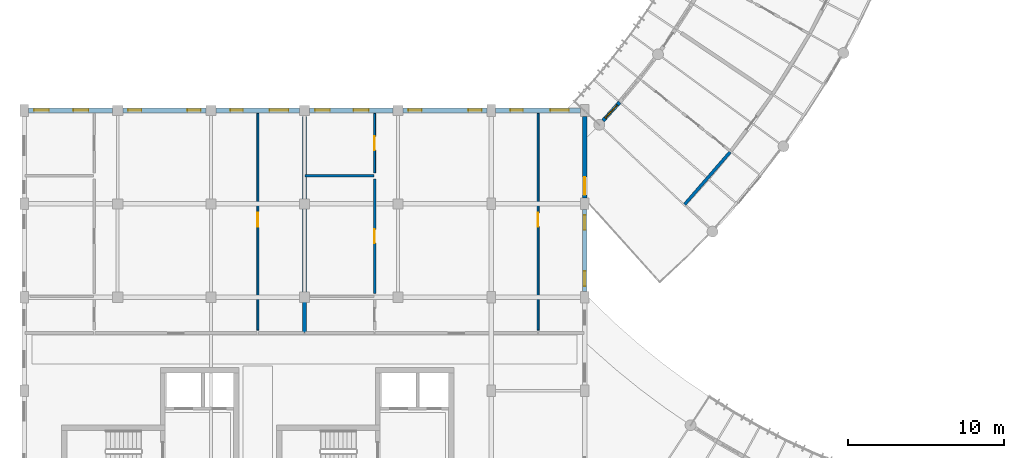
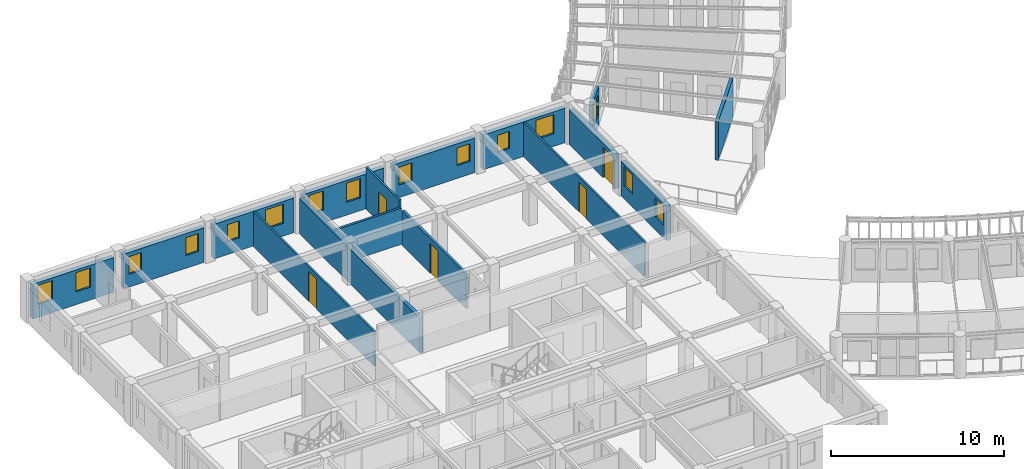
# One storey, part 59 of 100: 16 walls, 15 windows, 5 doors, 20 openings.
"""IFC4 building model written with IfcOpenShell, lengths in metres."""

from ifc_helpers import new_model, si_unit, direction, frame, frame_2d, origin, place, context, subcontext, project, spatial, rectangle, extrude, material, layer, layer_set, type_object, element, fill, save


model = new_model("IFC4")

# Units and contexts
model_context = context("Model", 3, precision=1e-05, world=origin(), true_north=direction((0.0, 1.0)))
body_context = subcontext(model_context, "Body", "Model", "MODEL_VIEW")
ifc_project = project(units=[si_unit("LENGTHUNIT", "METRE"), si_unit("AREAUNIT", "SQUARE_METRE"), si_unit("VOLUMEUNIT", "CUBIC_METRE"), si_unit("PLANEANGLEUNIT", "RADIAN"), si_unit("MASSUNIT", "GRAM", prefix="KILO"), si_unit("POWERUNIT", "WATT"), si_unit("THERMODYNAMICTEMPERATUREUNIT", "KELVIN")], contexts=[model_context])

# Site, building, storey
site_placement = place(None, origin())
site = spatial("IfcSite", under=ifc_project, at=site_placement, CompositionType="ELEMENT")
building_placement = place(site_placement, origin())
building = spatial("IfcBuilding", under=site, at=building_placement, Name="Ruvembo Vaulted Housing Court", CompositionType="ELEMENT")
storey_placement = place(building_placement, frame((0.0, 0.0, 10.89990234375)))
storey = spatial("IfcBuildingStorey", under=building, at=storey_placement, Name="L03", CompositionType="ELEMENT", Elevation=10.89990234375)

# Walls
ifc_material_1 = material(Name="Concrete Blockwork 200", Category="masonry")
ifc_layer_1 = layer(ifc_material_1, 0.199951171875, Name="Concrete Blockwork 200")
ifc_layer_set_1 = layer_set([ifc_layer_1], Name="Concrete Blockwork 200")
wall_type_1 = type_object("IfcWallType", Name="WL-CORR-200", PredefinedType="SOLIDWALL", material=ifc_layer_set_1)
wall_1_placement = place(storey_placement, frame((42.414794921875, 35.964111328125, 0.0), z_axis=(0.0, 0.0, 1.0), x_axis=(0.655477564809, 0.755214646331, 0.0)))
element("IfcWall", 1, at=wall_1_placement, inside=storey, type_object=wall_type_1, Name="L03 Suite SC1-L03-U1 Gallery Wall WL-INT-L03-00975", PredefinedType="SOLIDWALL", context=body_context, shape_type="SweptSolid", body=[
    extrude(rectangle(XDim=4.46728515625, YDim=0.199951171875, at=frame_2d((2.233642578125, 0.0))), origin(), (0.0, 0.0, 1.0), 2.72216796875),
])
ifc_material_2 = material(Name="Acoustic Masonry Demising 230", Category="masonry")
ifc_layer_2 = layer(ifc_material_2, 0.22998046875, Name="Acoustic Masonry Demising 230")
ifc_layer_set_2 = layer_set([ifc_layer_2], Name="Acoustic Masonry Demising 230")
wall_type_2 = type_object("IfcWallType", Name="WL-DEM-230", PredefinedType="SOLIDWALL", material=ifc_layer_set_2)
wall_2_placement = place(storey_placement, frame((18.0, 27.739990234375, 0.0), z_axis=(0.0, 0.0, 1.0), x_axis=(0.0, 1.0, 0.0)))
element("IfcWall", 2, at=wall_2_placement, inside=storey, type_object=wall_type_2, Name="L03 Demising A-L03-N1 WL-INT-L03-00806", PredefinedType="SOLIDWALL", context=body_context, shape_type="SweptSolid", body=[
    extrude(rectangle(XDim=13.8701171875, YDim=0.22998046875, at=frame_2d((6.93505859375, 0.0))), origin(), (0.0, 0.0, 1.0), 2.4580078125),
])

# Wall, opening, window
ifc_material_3 = material(Name="Rendered Masonry 235", Category="masonry")
ifc_layer_3 = layer(ifc_material_3, 0.235107421875, Name="Rendered Masonry 235")
ifc_layer_set_3 = layer_set([ifc_layer_3], Name="Rendered Masonry 235")
wall_type_3 = type_object("IfcWallType", Name="WL-EXT-235", PredefinedType="STANDARD", material=ifc_layer_set_3)
wall_3_placement = place(storey_placement, frame((37.165283203125, 41.337646484375, 0.0), z_axis=(0.0, 0.0, 1.0), x_axis=(0.670829255746, 0.741611832184, 0.0)))
wall_3 = element("IfcWall", 3, at=wall_3_placement, inside=storey, type_object=wall_type_3, Name="Scoop SC1 L03 Concave Balcony Wall 0", PredefinedType="STANDARD", context=body_context, shape_type="SweptSolid", body=[
    extrude(rectangle(XDim=1.596923828125, YDim=0.235107421875, at=frame_2d((0.79833984375, 0.0))), origin(), (0.0, 0.0, 1.0), 2.68408203125),
])
opening_1_placement = place(wall_3_placement, frame((0.223388671875, 0.0, 0.85009765625)))
opening_1 = element("IfcOpeningElement", 4, at=opening_1_placement, cuts=wall_3, Name="Opening W11", PredefinedType="OPENING", context=body_context, shape_type="SweptSolid", body=[
    extrude(rectangle(XDim=1.14990234375, YDim=1.449951171875, at=frame_2d((0.574951171875, 0.72509765625))), frame((0.0, 0.12744140625, 0.0), z_axis=(0.0, -1.0, 0.0), x_axis=(1.0, 0.0, 0.0)), (0.0, 0.0, 1.0), 0.255126953125),
])
ifc_material_4 = material(Name="Double Solar-Control Glazing in Aluminium Frame", Category="aluminium")
window_type_1 = type_object("IfcWindowType", Name="WIN-1150x1450", PartitioningType="SINGLE_PANEL", PredefinedType="WINDOW", material=ifc_material_4)
window_1_placement = place(opening_1_placement, origin())
window_1 = element("IfcWindow", 5, at=window_1_placement, inside=storey, type_object=window_type_1, Name="Scoop SC1 L03 Concave Window 0", OverallHeight=1.449951171875, OverallWidth=1.14990234375, PartitioningType="SINGLE_PANEL", PredefinedType="WINDOW", context=body_context, shape_type="SweptSolid", body=[
    extrude(rectangle(XDim=1.14990234375, YDim=1.449951171875, at=frame_2d((0.574951171875, 0.72509765625))), frame((0.0, 0.030029296875, 0.0), z_axis=(0.0, -1.0, 0.0), x_axis=(1.0, 0.0, 0.0)), (0.0, 0.0, 1.0), 0.06005859375),
])
fill(opening_1, window_1)

# Wall, openings, windows
ifc_material_5 = material(Name="Rendered Masonry 300", Category="masonry")
ifc_layer_4 = layer(ifc_material_5, 0.300048828125, Name="Rendered Masonry 300")
ifc_layer_set_4 = layer_set([ifc_layer_4], Name="Rendered Masonry 300")
wall_type_4 = type_object("IfcWallType", Name="WL-EXT-300", PredefinedType="STANDARD", material=ifc_layer_set_4)
wall_4_placement = place(storey_placement, frame((36.0, 30.375, 0.0), z_axis=(0.0, 0.0, 1.0), x_axis=(0.0, 1.0, 0.0)))
wall_4 = element("IfcWall", 6, at=wall_4_placement, inside=storey, type_object=wall_type_4, Name="Block A L03 Exterior Wall EAST #5", PredefinedType="STANDARD", context=body_context, shape_type="SweptSolid", body=[
    extrude(rectangle(XDim=5.25, YDim=0.300048828125, at=frame_2d((2.625, 0.0))), origin(), (0.0, 0.0, 1.0), 2.442138671875),
])
opening_2_placement = place(wall_4_placement, frame((0.35009765625, 0.0, 0.89990234375)))
opening_2 = element("IfcOpeningElement", 7, at=opening_2_placement, cuts=wall_4, Name="Opening W07", PredefinedType="OPENING", context=body_context, shape_type="SweptSolid", body=[
    extrude(rectangle(XDim=0.949951171875, YDim=1.35009765625, at=frame_2d((0.47509765625, 0.675048828125))), frame((0.0, 0.159912109375, 0.0), z_axis=(0.0, -1.0, 0.0), x_axis=(1.0, 0.0, 0.0)), (0.0, 0.0, 1.0), 0.320068359375),
])
opening_3_placement = place(wall_4_placement, frame((3.949951171875, 0.0, 0.89990234375)))
opening_3 = element("IfcOpeningElement", 8, at=opening_3_placement, cuts=wall_4, Name="Opening W07", PredefinedType="OPENING", context=body_context, shape_type="SweptSolid", body=[
    extrude(rectangle(XDim=0.949951171875, YDim=1.35009765625, at=frame_2d((0.47509765625, 0.675048828125))), frame((0.0, 0.159912109375, 0.0), z_axis=(0.0, -1.0, 0.0), x_axis=(1.0, 0.0, 0.0)), (0.0, 0.0, 1.0), 0.320068359375),
])
window_type_2 = type_object("IfcWindowType", Name="WIN-0950x1350", PartitioningType="SINGLE_PANEL", PredefinedType="WINDOW", material=ifc_material_4)
window_2_placement = place(opening_2_placement, origin())
window_2 = element("IfcWindow", 9, at=window_2_placement, inside=storey, type_object=window_type_2, Name="Block A L03 Window #141", OverallHeight=1.35009765625, OverallWidth=0.949951171875, PartitioningType="SINGLE_PANEL", PredefinedType="WINDOW", context=body_context, shape_type="SweptSolid", body=[
    extrude(rectangle(XDim=0.949951171875, YDim=1.35009765625, at=frame_2d((0.47509765625, 0.675048828125))), frame((0.0, 0.030029296875, 0.0), z_axis=(0.0, -1.0, 0.0), x_axis=(1.0, 0.0, 0.0)), (0.0, 0.0, 1.0), 0.06005859375),
])
fill(opening_2, window_2)
window_3_placement = place(opening_3_placement, origin())
window_3 = element("IfcWindow", 10, at=window_3_placement, inside=storey, type_object=window_type_2, Name="Block A L03 Window #142", OverallHeight=1.35009765625, OverallWidth=0.949951171875, PartitioningType="SINGLE_PANEL", PredefinedType="WINDOW", context=body_context, shape_type="SweptSolid", body=[
    extrude(rectangle(XDim=0.949951171875, YDim=1.35009765625, at=frame_2d((0.47509765625, 0.675048828125))), frame((0.0, 0.030029296875, 0.0), z_axis=(0.0, -1.0, 0.0), x_axis=(1.0, 0.0, 0.0)), (0.0, 0.0, 1.0), 0.06005859375),
])
fill(opening_3, window_3)

# Wall, opening, door
wall_5_placement = place(storey_placement, frame((36.0, 36.375, 0.0), z_axis=(0.0, 0.0, 1.0), x_axis=(0.0, 1.0, 0.0)))
wall_5 = element("IfcWall", 11, at=wall_5_placement, inside=storey, type_object=wall_type_4, Name="Block A L03 Exterior Wall EAST #6", PredefinedType="STANDARD", context=body_context, shape_type="SweptSolid", body=[
    extrude(rectangle(XDim=5.25, YDim=0.300048828125, at=frame_2d((2.625, 0.0))), origin(), (0.0, 0.0, 1.0), 2.442138671875),
])
opening_4_placement = place(wall_5_placement, frame((0.199951171875, 0.0, 0.0)))
opening_4 = element("IfcOpeningElement", 12, at=opening_4_placement, cuts=wall_5, Name="Opening GD1", PredefinedType="OPENING", context=body_context, shape_type="SweptSolid", body=[
    extrude(rectangle(XDim=1.14990234375, YDim=2.14990234375, at=frame_2d((0.574951171875, 1.074951171875))), frame((0.0, 0.159912109375, 0.0), z_axis=(0.0, -1.0, 0.0), x_axis=(1.0, 0.0, 0.0)), (0.0, 0.0, 1.0), 0.320068359375),
])
ifc_material_6 = material(Name="Thermally Broken Glazed Aluminium", Category="aluminium")
door_type_1 = type_object("IfcDoorType", Name="DR-GAL-1150x2150", OperationType="NOTDEFINED", PredefinedType="DOOR", material=ifc_material_6)
door_1_placement = place(opening_4_placement, frame((1.14990234375, 0.0, 0.0), z_axis=(0.0, 0.0, 1.0), x_axis=(-1.0, 0.0, 0.0)))
door_1 = element("IfcDoor", 13, at=door_1_placement, inside=storey, type_object=door_type_1, Name="Block A L03 Terrace or Gallery Door DR-TER-A-L03-014", OperationType="SINGLE_SWING_LEFT", OverallHeight=2.14990234375, OverallWidth=1.14990234375, PredefinedType="DOOR", context=body_context, shape_type="SweptSolid", body=[
    extrude(rectangle(XDim=1.14990234375, YDim=2.14990234375, at=frame_2d((0.574951171875, 1.074951171875))), frame((0.0, 0.02490234375, 0.0), z_axis=(0.0, -1.0, 0.0), x_axis=(1.0, 0.0, 0.0)), (0.0, 0.0, 1.0), 0.050048828125),
])
fill(opening_4, door_1)

# Wall, openings, windows
wall_6_placement = place(storey_placement, frame((35.72509765625, 42.0, 0.0), z_axis=(0.0, 0.0, 1.0), x_axis=(-1.0, 0.0, 0.0)))
wall_6 = element("IfcWall", 14, at=wall_6_placement, inside=storey, type_object=wall_type_4, Name="Block A L03 Exterior Wall COURTYARD #1", PredefinedType="STANDARD", context=body_context, shape_type="SweptSolid", body=[
    extrude(rectangle(XDim=5.4501953125, YDim=0.300048828125, at=frame_2d((2.72509765625, 0.0))), origin(), (0.0, 0.0, 1.0), 2.442138671875),
])
opening_5_placement = place(wall_6_placement, frame((0.742431640625, 0.0, 0.89990234375)))
opening_5 = element("IfcOpeningElement", 15, at=opening_5_placement, cuts=wall_6, Name="Opening W12", PredefinedType="OPENING", context=body_context, shape_type="SweptSolid", body=[
    extrude(rectangle(XDim=1.199951171875, YDim=1.35009765625, at=frame_2d((0.60009765625, 0.675048828125))), frame((0.0, 0.159912109375, 0.0), z_axis=(0.0, -1.0, 0.0), x_axis=(1.0, 0.0, 0.0)), (0.0, 0.0, 1.0), 0.320068359375),
])
opening_6_placement = place(wall_6_placement, frame((3.70751953125, 0.0, 0.89990234375)))
opening_6 = element("IfcOpeningElement", 16, at=opening_6_placement, cuts=wall_6, Name="Opening W02", PredefinedType="OPENING", context=body_context, shape_type="SweptSolid", body=[
    extrude(rectangle(XDim=0.800048828125, YDim=1.199951171875, at=frame_2d((0.39990234375, 0.60009765625))), frame((0.0, 0.159912109375, 0.0), z_axis=(0.0, -1.0, 0.0), x_axis=(1.0, 0.0, 0.0)), (0.0, 0.0, 1.0), 0.320068359375),
])
window_type_3 = type_object("IfcWindowType", Name="WIN-0800x1200", PartitioningType="SINGLE_PANEL", PredefinedType="WINDOW", material=ifc_material_4)
window_4_placement = place(opening_6_placement, origin())
window_4 = element("IfcWindow", 17, at=window_4_placement, inside=storey, type_object=window_type_3, Name="Block A L03 Window #144", OverallHeight=1.199951171875, OverallWidth=0.800048828125, PartitioningType="SINGLE_PANEL", PredefinedType="WINDOW", context=body_context, shape_type="SweptSolid", body=[
    extrude(rectangle(XDim=0.800048828125, YDim=1.199951171875, at=frame_2d((0.39990234375, 0.60009765625))), frame((0.0, 0.030029296875, 0.0), z_axis=(0.0, -1.0, 0.0), x_axis=(1.0, 0.0, 0.0)), (0.0, 0.0, 1.0), 0.06005859375),
])
fill(opening_6, window_4)
window_type_4 = type_object("IfcWindowType", Name="WIN-1200x1350", PartitioningType="SINGLE_PANEL", PredefinedType="WINDOW", material=ifc_material_4)
window_5_placement = place(opening_5_placement, origin())
window_5 = element("IfcWindow", 18, at=window_5_placement, inside=storey, type_object=window_type_4, Name="Block A L03 Window #143", OverallHeight=1.35009765625, OverallWidth=1.199951171875, PartitioningType="SINGLE_PANEL", PredefinedType="WINDOW", context=body_context, shape_type="SweptSolid", body=[
    extrude(rectangle(XDim=1.199951171875, YDim=1.35009765625, at=frame_2d((0.60009765625, 0.675048828125))), frame((0.0, 0.030029296875, 0.0), z_axis=(0.0, -1.0, 0.0), x_axis=(1.0, 0.0, 0.0)), (0.0, 0.0, 1.0), 0.06005859375),
])
fill(opening_5, window_5)

wall_7_placement = place(storey_placement, frame((29.72509765625, 42.0, 0.0), z_axis=(0.0, 0.0, 1.0), x_axis=(-1.0, 0.0, 0.0)))
wall_7 = element("IfcWall", 19, at=wall_7_placement, inside=storey, type_object=wall_type_4, Name="Block A L03 Exterior Wall COURTYARD #2", PredefinedType="STANDARD", context=body_context, shape_type="SweptSolid", body=[
    extrude(rectangle(XDim=5.400146484375, YDim=0.300048828125, at=frame_2d((2.7001953125, 0.0))), origin(), (0.0, 0.0, 1.0), 2.442138671875),
])
opening_7_placement = place(wall_7_placement, frame((0.35009765625, 0.0, 0.89990234375)))
opening_7 = element("IfcOpeningElement", 20, at=opening_7_placement, cuts=wall_7, Name="Opening W03", PredefinedType="OPENING", context=body_context, shape_type="SweptSolid", body=[
    extrude(rectangle(XDim=0.85009765625, YDim=1.25, at=frame_2d((0.425048828125, 0.625))), frame((0.0, 0.159912109375, 0.0), z_axis=(0.0, -1.0, 0.0), x_axis=(1.0, 0.0, 0.0)), (0.0, 0.0, 1.0), 0.320068359375),
])
opening_8_placement = place(wall_7_placement, frame((4.199951171875, 0.0, 0.89990234375)))
opening_8 = element("IfcOpeningElement", 21, at=opening_8_placement, cuts=wall_7, Name="Opening W03", PredefinedType="OPENING", context=body_context, shape_type="SweptSolid", body=[
    extrude(rectangle(XDim=0.85009765625, YDim=1.25, at=frame_2d((0.425048828125, 0.625))), frame((0.0, 0.159912109375, 0.0), z_axis=(0.0, -1.0, 0.0), x_axis=(1.0, 0.0, 0.0)), (0.0, 0.0, 1.0), 0.320068359375),
])
window_type_5 = type_object("IfcWindowType", Name="WIN-0850x1250", PartitioningType="SINGLE_PANEL", PredefinedType="WINDOW", material=ifc_material_4)
window_6_placement = place(opening_7_placement, origin())
window_6 = element("IfcWindow", 22, at=window_6_placement, inside=storey, type_object=window_type_5, Name="Block A L03 Window #145", OverallHeight=1.25, OverallWidth=0.85009765625, PartitioningType="SINGLE_PANEL", PredefinedType="WINDOW", context=body_context, shape_type="SweptSolid", body=[
    extrude(rectangle(XDim=0.85009765625, YDim=1.25, at=frame_2d((0.425048828125, 0.625))), frame((0.0, 0.030029296875, 0.0), z_axis=(0.0, -1.0, 0.0), x_axis=(1.0, 0.0, 0.0)), (0.0, 0.0, 1.0), 0.06005859375),
])
fill(opening_7, window_6)
window_7_placement = place(opening_8_placement, origin())
window_7 = element("IfcWindow", 23, at=window_7_placement, inside=storey, type_object=window_type_5, Name="Block A L03 Window #146", OverallHeight=1.25, OverallWidth=0.85009765625, PartitioningType="SINGLE_PANEL", PredefinedType="WINDOW", context=body_context, shape_type="SweptSolid", body=[
    extrude(rectangle(XDim=0.85009765625, YDim=1.25, at=frame_2d((0.425048828125, 0.625))), frame((0.0, 0.030029296875, 0.0), z_axis=(0.0, -1.0, 0.0), x_axis=(1.0, 0.0, 0.0)), (0.0, 0.0, 1.0), 0.06005859375),
])
fill(opening_8, window_7)

wall_8_placement = place(storey_placement, frame((23.675048828125, 42.0, 0.0), z_axis=(0.0, 0.0, 1.0), x_axis=(-1.0, 0.0, 0.0)))
wall_8 = element("IfcWall", 24, at=wall_8_placement, inside=storey, type_object=wall_type_4, Name="Block A L03 Exterior Wall COURTYARD #3", PredefinedType="STANDARD", context=body_context, shape_type="SweptSolid", body=[
    extrude(rectangle(XDim=5.35009765625, YDim=0.300048828125, at=frame_2d((2.675048828125, 0.0))), origin(), (0.0, 0.0, 1.0), 2.442138671875),
])
opening_9_placement = place(wall_8_placement, frame((1.56494140625, 0.0, 0.89990234375)))
opening_9 = element("IfcOpeningElement", 25, at=opening_9_placement, cuts=wall_8, Name="Opening W07", PredefinedType="OPENING", context=body_context, shape_type="SweptSolid", body=[
    extrude(rectangle(XDim=0.949951171875, YDim=1.35009765625, at=frame_2d((0.47509765625, 0.675048828125))), frame((0.0, 0.159912109375, 0.0), z_axis=(0.0, -1.0, 0.0), x_axis=(1.0, 0.0, 0.0)), (0.0, 0.0, 1.0), 0.320068359375),
])
opening_10_placement = place(wall_8_placement, frame((4.050048828125, 0.0, 0.89990234375)))
opening_10 = element("IfcOpeningElement", 26, at=opening_10_placement, cuts=wall_8, Name="Opening W07", PredefinedType="OPENING", context=body_context, shape_type="SweptSolid", body=[
    extrude(rectangle(XDim=0.949951171875, YDim=1.35009765625, at=frame_2d((0.47509765625, 0.675048828125))), frame((0.0, 0.159912109375, 0.0), z_axis=(0.0, -1.0, 0.0), x_axis=(1.0, 0.0, 0.0)), (0.0, 0.0, 1.0), 0.320068359375),
])
window_8_placement = place(opening_9_placement, origin())
window_8 = element("IfcWindow", 27, at=window_8_placement, inside=storey, type_object=window_type_2, Name="Block A L03 Window #147", OverallHeight=1.35009765625, OverallWidth=0.949951171875, PartitioningType="SINGLE_PANEL", PredefinedType="WINDOW", context=body_context, shape_type="SweptSolid", body=[
    extrude(rectangle(XDim=0.949951171875, YDim=1.35009765625, at=frame_2d((0.47509765625, 0.675048828125))), frame((0.0, 0.030029296875, 0.0), z_axis=(0.0, -1.0, 0.0), x_axis=(1.0, 0.0, 0.0)), (0.0, 0.0, 1.0), 0.06005859375),
])
fill(opening_9, window_8)
window_9_placement = place(opening_10_placement, origin())
window_9 = element("IfcWindow", 28, at=window_9_placement, inside=storey, type_object=window_type_2, Name="Block A L03 Window #148", OverallHeight=1.35009765625, OverallWidth=0.949951171875, PartitioningType="SINGLE_PANEL", PredefinedType="WINDOW", context=body_context, shape_type="SweptSolid", body=[
    extrude(rectangle(XDim=0.949951171875, YDim=1.35009765625, at=frame_2d((0.47509765625, 0.675048828125))), frame((0.0, 0.030029296875, 0.0), z_axis=(0.0, -1.0, 0.0), x_axis=(1.0, 0.0, 0.0)), (0.0, 0.0, 1.0), 0.06005859375),
])
fill(opening_10, window_9)

wall_9_placement = place(storey_placement, frame((17.675048828125, 42.0, 0.0), z_axis=(0.0, 0.0, 1.0), x_axis=(-1.0, 0.0, 0.0)))
wall_9 = element("IfcWall", 29, at=wall_9_placement, inside=storey, type_object=wall_type_4, Name="Block A L03 Exterior Wall COURTYARD #4", PredefinedType="STANDARD", context=body_context, shape_type="SweptSolid", body=[
    extrude(rectangle(XDim=5.35009765625, YDim=0.300048828125, at=frame_2d((2.675048828125, 0.0))), origin(), (0.0, 0.0, 1.0), 2.442138671875),
])
opening_11_placement = place(wall_9_placement, frame((0.717529296875, 0.0, 0.89990234375)))
opening_11 = element("IfcOpeningElement", 30, at=opening_11_placement, cuts=wall_9, Name="Opening W12", PredefinedType="OPENING", context=body_context, shape_type="SweptSolid", body=[
    extrude(rectangle(XDim=1.199951171875, YDim=1.35009765625, at=frame_2d((0.60009765625, 0.675048828125))), frame((0.0, 0.159912109375, 0.0), z_axis=(0.0, -1.0, 0.0), x_axis=(1.0, 0.0, 0.0)), (0.0, 0.0, 1.0), 0.320068359375),
])
opening_12_placement = place(wall_9_placement, frame((3.632568359375, 0.0, 0.89990234375)))
opening_12 = element("IfcOpeningElement", 31, at=opening_12_placement, cuts=wall_9, Name="Opening W02", PredefinedType="OPENING", context=body_context, shape_type="SweptSolid", body=[
    extrude(rectangle(XDim=0.800048828125, YDim=1.199951171875, at=frame_2d((0.39990234375, 0.60009765625))), frame((0.0, 0.159912109375, 0.0), z_axis=(0.0, -1.0, 0.0), x_axis=(1.0, 0.0, 0.0)), (0.0, 0.0, 1.0), 0.320068359375),
])
window_10_placement = place(opening_12_placement, origin())
window_10 = element("IfcWindow", 32, at=window_10_placement, inside=storey, type_object=window_type_3, Name="Block A L03 Window #150", OverallHeight=1.199951171875, OverallWidth=0.800048828125, PartitioningType="SINGLE_PANEL", PredefinedType="WINDOW", context=body_context, shape_type="SweptSolid", body=[
    extrude(rectangle(XDim=0.800048828125, YDim=1.199951171875, at=frame_2d((0.39990234375, 0.60009765625))), frame((0.0, 0.030029296875, 0.0), z_axis=(0.0, -1.0, 0.0), x_axis=(1.0, 0.0, 0.0)), (0.0, 0.0, 1.0), 0.06005859375),
])
fill(opening_12, window_10)
window_11_placement = place(opening_11_placement, origin())
window_11 = element("IfcWindow", 33, at=window_11_placement, inside=storey, type_object=window_type_4, Name="Block A L03 Window #149", OverallHeight=1.35009765625, OverallWidth=1.199951171875, PartitioningType="SINGLE_PANEL", PredefinedType="WINDOW", context=body_context, shape_type="SweptSolid", body=[
    extrude(rectangle(XDim=1.199951171875, YDim=1.35009765625, at=frame_2d((0.60009765625, 0.675048828125))), frame((0.0, 0.030029296875, 0.0), z_axis=(0.0, -1.0, 0.0), x_axis=(1.0, 0.0, 0.0)), (0.0, 0.0, 1.0), 0.06005859375),
])
fill(opening_11, window_11)

wall_10_placement = place(storey_placement, frame((11.675048828125, 42.0, 0.0), z_axis=(0.0, 0.0, 1.0), x_axis=(-1.0, 0.0, 0.0)))
wall_10 = element("IfcWall", 34, at=wall_10_placement, inside=storey, type_object=wall_type_4, Name="Block A L03 Exterior Wall COURTYARD #5", PredefinedType="STANDARD", context=body_context, shape_type="SweptSolid", body=[
    extrude(rectangle(XDim=5.35009765625, YDim=0.300048828125, at=frame_2d((2.675048828125, 0.0))), origin(), (0.0, 0.0, 1.0), 2.442138671875),
])
opening_13_placement = place(wall_10_placement, frame((0.35009765625, 0.0, 0.89990234375)))
opening_13 = element("IfcOpeningElement", 35, at=opening_13_placement, cuts=wall_10, Name="Opening W03", PredefinedType="OPENING", context=body_context, shape_type="SweptSolid", body=[
    extrude(rectangle(XDim=0.85009765625, YDim=1.25, at=frame_2d((0.425048828125, 0.625))), frame((0.0, 0.159912109375, 0.0), z_axis=(0.0, -1.0, 0.0), x_axis=(1.0, 0.0, 0.0)), (0.0, 0.0, 1.0), 0.320068359375),
])
opening_14_placement = place(wall_10_placement, frame((4.14990234375, 0.0, 0.89990234375)))
opening_14 = element("IfcOpeningElement", 36, at=opening_14_placement, cuts=wall_10, Name="Opening W03", PredefinedType="OPENING", context=body_context, shape_type="SweptSolid", body=[
    extrude(rectangle(XDim=0.85009765625, YDim=1.25, at=frame_2d((0.425048828125, 0.625))), frame((0.0, 0.159912109375, 0.0), z_axis=(0.0, -1.0, 0.0), x_axis=(1.0, 0.0, 0.0)), (0.0, 0.0, 1.0), 0.320068359375),
])
window_12_placement = place(opening_13_placement, origin())
window_12 = element("IfcWindow", 37, at=window_12_placement, inside=storey, type_object=window_type_5, Name="Block A L03 Window #151", OverallHeight=1.25, OverallWidth=0.85009765625, PartitioningType="SINGLE_PANEL", PredefinedType="WINDOW", context=body_context, shape_type="SweptSolid", body=[
    extrude(rectangle(XDim=0.85009765625, YDim=1.25, at=frame_2d((0.425048828125, 0.625))), frame((0.0, 0.030029296875, 0.0), z_axis=(0.0, -1.0, 0.0), x_axis=(1.0, 0.0, 0.0)), (0.0, 0.0, 1.0), 0.06005859375),
])
fill(opening_13, window_12)
window_13_placement = place(opening_14_placement, origin())
window_13 = element("IfcWindow", 38, at=window_13_placement, inside=storey, type_object=window_type_5, Name="Block A L03 Window #152", OverallHeight=1.25, OverallWidth=0.85009765625, PartitioningType="SINGLE_PANEL", PredefinedType="WINDOW", context=body_context, shape_type="SweptSolid", body=[
    extrude(rectangle(XDim=0.85009765625, YDim=1.25, at=frame_2d((0.425048828125, 0.625))), frame((0.0, 0.030029296875, 0.0), z_axis=(0.0, -1.0, 0.0), x_axis=(1.0, 0.0, 0.0)), (0.0, 0.0, 1.0), 0.06005859375),
])
fill(opening_14, window_13)

wall_11_placement = place(storey_placement, frame((5.675048828125, 42.0, 0.0), z_axis=(0.0, 0.0, 1.0), x_axis=(-1.0, 0.0, 0.0)))
wall_11 = element("IfcWall", 39, at=wall_11_placement, inside=storey, type_object=wall_type_4, Name="Block A L03 Exterior Wall COURTYARD #6", PredefinedType="STANDARD", context=body_context, shape_type="SweptSolid", body=[
    extrude(rectangle(XDim=5.400146484375, YDim=0.300048828125, at=frame_2d((2.7001953125, 0.0))), origin(), (0.0, 0.0, 1.0), 2.442138671875),
])
opening_15_placement = place(wall_11_placement, frame((1.56494140625, 0.0, 0.89990234375)))
opening_15 = element("IfcOpeningElement", 40, at=opening_15_placement, cuts=wall_11, Name="Opening W07", PredefinedType="OPENING", context=body_context, shape_type="SweptSolid", body=[
    extrude(rectangle(XDim=0.949951171875, YDim=1.35009765625, at=frame_2d((0.47509765625, 0.675048828125))), frame((0.0, 0.159912109375, 0.0), z_axis=(0.0, -1.0, 0.0), x_axis=(1.0, 0.0, 0.0)), (0.0, 0.0, 1.0), 0.320068359375),
])
opening_16_placement = place(wall_11_placement, frame((4.10009765625, 0.0, 0.89990234375)))
opening_16 = element("IfcOpeningElement", 41, at=opening_16_placement, cuts=wall_11, Name="Opening W07", PredefinedType="OPENING", context=body_context, shape_type="SweptSolid", body=[
    extrude(rectangle(XDim=0.949951171875, YDim=1.35009765625, at=frame_2d((0.47509765625, 0.675048828125))), frame((0.0, 0.159912109375, 0.0), z_axis=(0.0, -1.0, 0.0), x_axis=(1.0, 0.0, 0.0)), (0.0, 0.0, 1.0), 0.320068359375),
])
window_14_placement = place(opening_15_placement, origin())
window_14 = element("IfcWindow", 42, at=window_14_placement, inside=storey, type_object=window_type_2, Name="Block A L03 Window #153", OverallHeight=1.35009765625, OverallWidth=0.949951171875, PartitioningType="SINGLE_PANEL", PredefinedType="WINDOW", context=body_context, shape_type="SweptSolid", body=[
    extrude(rectangle(XDim=0.949951171875, YDim=1.35009765625, at=frame_2d((0.47509765625, 0.675048828125))), frame((0.0, 0.030029296875, 0.0), z_axis=(0.0, -1.0, 0.0), x_axis=(1.0, 0.0, 0.0)), (0.0, 0.0, 1.0), 0.06005859375),
])
fill(opening_15, window_14)
window_15_placement = place(opening_16_placement, origin())
window_15 = element("IfcWindow", 43, at=window_15_placement, inside=storey, type_object=window_type_2, Name="Block A L03 Window #154", OverallHeight=1.35009765625, OverallWidth=0.949951171875, PartitioningType="SINGLE_PANEL", PredefinedType="WINDOW", context=body_context, shape_type="SweptSolid", body=[
    extrude(rectangle(XDim=0.949951171875, YDim=1.35009765625, at=frame_2d((0.47509765625, 0.675048828125))), frame((0.0, 0.030029296875, 0.0), z_axis=(0.0, -1.0, 0.0), x_axis=(1.0, 0.0, 0.0)), (0.0, 0.0, 1.0), 0.06005859375),
])
fill(opening_16, window_15)

# Wall, opening, door
ifc_material_7 = material(Name="Plasterboard Stud Partition 125", Category="gypsum")
ifc_layer_5 = layer(ifc_material_7, 0.125, Name="Plasterboard Stud Partition 125")
ifc_layer_set_5 = layer_set([ifc_layer_5], Name="Plasterboard Stud Partition 125")
wall_type_5 = type_object("IfcWallType", Name="WL-PART-125", PredefinedType="PARTITIONING", material=ifc_layer_set_5)
wall_12_placement = place(storey_placement, frame((15.0, 27.889892578125, 0.0), z_axis=(0.0, 0.0, 1.0), x_axis=(0.0, 1.0, 0.0)))
wall_12 = element("IfcWall", 44, at=wall_12_placement, inside=storey, type_object=wall_type_5, Name="L03 Flat A-L03-N1 Bedroom 2 WL-INT-L03-00815", PredefinedType="PARTITIONING", context=body_context, shape_type="SweptSolid", body=[
    extrude(rectangle(XDim=13.920166015625, YDim=0.125, at=frame_2d((6.9599609375, 0.0))), origin(), (0.0, 0.0, 1.0), 2.442138671875),
])
opening_17_placement = place(wall_12_placement, frame((6.64990234375, 0.0, 0.0)))
opening_17 = element("IfcOpeningElement", 45, at=opening_17_placement, cuts=wall_12, Name="Opening ID1", PredefinedType="OPENING", context=body_context, shape_type="SweptSolid", body=[
    extrude(rectangle(XDim=0.89990234375, YDim=2.10009765625, at=frame_2d((0.449951171875, 1.050048828125))), frame((0.0, 0.072509765625, 0.0), z_axis=(0.0, -1.0, 0.0), x_axis=(1.0, 0.0, 0.0)), (0.0, 0.0, 1.0), 0.14501953125),
])
ifc_material_8 = material(Name="FSC Hardwood and Engineered Timber", Category="wood")
door_type_2 = type_object("IfcDoorType", Name="DR-ROOM-0900x2100", OperationType="NOTDEFINED", PredefinedType="DOOR", material=ifc_material_8)
door_2_placement = place(opening_17_placement, origin())
door_2 = element("IfcDoor", 46, at=door_2_placement, inside=storey, type_object=door_type_2, Name="L03 Flat A-L03-N1 Bedroom 2 Door DR-INT-L03-00452", OperationType="SINGLE_SWING_RIGHT", OverallHeight=2.10009765625, OverallWidth=0.89990234375, PredefinedType="DOOR", context=body_context, shape_type="SweptSolid", body=[
    extrude(rectangle(XDim=0.89990234375, YDim=2.10009765625, at=frame_2d((0.449951171875, 1.050048828125))), frame((0.0, 0.02490234375, 0.0), z_axis=(0.0, -1.0, 0.0), x_axis=(1.0, 0.0, 0.0)), (0.0, 0.0, 1.0), 0.050048828125),
])
fill(opening_17, door_2)

wall_13_placement = place(storey_placement, frame((22.5, 37.989990234375, 0.0), z_axis=(0.0, 0.0, 1.0), x_axis=(0.0, 1.0, 0.0)))
wall_13 = element("IfcWall", 47, at=wall_13_placement, inside=storey, type_object=wall_type_5, Name="L03 Flat A-L03-N2 Bedroom 1 WL-INT-L03-00818", PredefinedType="PARTITIONING", context=body_context, shape_type="SweptSolid", body=[
    extrude(rectangle(XDim=3.820068359375, YDim=0.125, at=frame_2d((1.91015625, 0.0))), origin(), (0.0, 0.0, 1.0), 2.960205078125),
])
opening_18_placement = place(wall_13_placement, frame((1.4599609375, 0.0, 0.0)))
opening_18 = element("IfcOpeningElement", 48, at=opening_18_placement, cuts=wall_13, Name="Opening ID1", PredefinedType="OPENING", context=body_context, shape_type="SweptSolid", body=[
    extrude(rectangle(XDim=0.89990234375, YDim=2.10009765625, at=frame_2d((0.449951171875, 1.050048828125))), frame((0.0, 0.072509765625, 0.0), z_axis=(0.0, -1.0, 0.0), x_axis=(1.0, 0.0, 0.0)), (0.0, 0.0, 1.0), 0.14501953125),
])
door_3_placement = place(opening_18_placement, origin())
door_3 = element("IfcDoor", 49, at=door_3_placement, inside=storey, type_object=door_type_2, Name="L03 Flat A-L03-N2 Bedroom 1 Door DR-INT-L03-00454", OperationType="SINGLE_SWING_RIGHT", OverallHeight=2.10009765625, OverallWidth=0.89990234375, PredefinedType="DOOR", context=body_context, shape_type="SweptSolid", body=[
    extrude(rectangle(XDim=0.89990234375, YDim=2.10009765625, at=frame_2d((0.449951171875, 1.050048828125))), frame((0.0, 0.02490234375, 0.0), z_axis=(0.0, -1.0, 0.0), x_axis=(1.0, 0.0, 0.0)), (0.0, 0.0, 1.0), 0.050048828125),
])
fill(opening_18, door_3)

wall_14_placement = place(storey_placement, frame((33.0, 27.889892578125, 0.0), z_axis=(0.0, 0.0, 1.0), x_axis=(0.0, 1.0, 0.0)))
wall_14 = element("IfcWall", 50, at=wall_14_placement, inside=storey, type_object=wall_type_5, Name="L03 Flat A-L03-N2 Bedroom 2 WL-INT-L03-00824", PredefinedType="PARTITIONING", context=body_context, shape_type="SweptSolid", body=[
    extrude(rectangle(XDim=13.920166015625, YDim=0.125, at=frame_2d((6.9599609375, 0.0))), origin(), (0.0, 0.0, 1.0), 2.442138671875),
])
opening_19_placement = place(wall_14_placement, frame((6.64990234375, 0.0, 0.0)))
opening_19 = element("IfcOpeningElement", 51, at=opening_19_placement, cuts=wall_14, Name="Opening ID3", PredefinedType="OPENING", context=body_context, shape_type="SweptSolid", body=[
    extrude(rectangle(XDim=0.8798828125, YDim=2.10009765625, at=frame_2d((0.43994140625, 1.050048828125))), frame((0.0, 0.072509765625, 0.0), z_axis=(0.0, -1.0, 0.0), x_axis=(1.0, 0.0, 0.0)), (0.0, 0.0, 1.0), 0.14501953125),
])
door_type_3 = type_object("IfcDoorType", Name="DR-ROOM-0880x2100", OperationType="NOTDEFINED", PredefinedType="DOOR", material=ifc_material_8)
door_4_placement = place(opening_19_placement, origin())
door_4 = element("IfcDoor", 52, at=door_4_placement, inside=storey, type_object=door_type_3, Name="L03 Flat A-L03-N2 Bedroom 2 Door DR-INT-L03-00457", OperationType="SINGLE_SWING_LEFT", OverallHeight=2.10009765625, OverallWidth=0.8798828125, PredefinedType="DOOR", context=body_context, shape_type="SweptSolid", body=[
    extrude(rectangle(XDim=0.8798828125, YDim=2.10009765625, at=frame_2d((0.43994140625, 1.050048828125))), frame((0.0, 0.02490234375, 0.0), z_axis=(0.0, -1.0, 0.0), x_axis=(1.0, 0.0, 0.0)), (0.0, 0.0, 1.0), 0.050048828125),
])
fill(opening_19, door_4)

# Wall
ifc_material_9 = material(Name="Moisture-Resistant Wet Partition 150", Category="gypsum")
ifc_layer_6 = layer(ifc_material_9, 0.14990234375, Name="Moisture-Resistant Wet Partition 150")
ifc_layer_set_6 = layer_set([ifc_layer_6], Name="Moisture-Resistant Wet Partition 150")
wall_type_6 = type_object("IfcWallType", Name="WL-PART-150", PredefinedType="PARTITIONING", material=ifc_layer_set_6)
wall_15_placement = place(storey_placement, frame((18.0400390625, 37.800048828125, 0.0), z_axis=(0.0, 0.0, 1.0), x_axis=(1.0, 0.0, 0.0)))
element("IfcWall", 53, at=wall_15_placement, inside=storey, type_object=wall_type_6, Name="L03 Flat A-L03-N2 Wet Wall 1 WL-INT-L03-00821", PredefinedType="PARTITIONING", context=body_context, shape_type="SweptSolid", body=[
    extrude(rectangle(XDim=4.419921875, YDim=0.14990234375, at=frame_2d((2.2099609375, 0.0))), origin(), (0.0, 0.0, 1.0), 2.548095703125),
])

# Wall, opening, door
ifc_material_10 = material(Name="Acoustic Service Chase Wall 160", Category="gypsum")
ifc_layer_7 = layer(ifc_material_10, 0.159912109375, Name="Acoustic Service Chase Wall 160")
ifc_layer_set_7 = layer_set([ifc_layer_7], Name="Acoustic Service Chase Wall 160")
wall_type_7 = type_object("IfcWallType", Name="WL-PLUMB-160", PredefinedType="PLUMBINGWALL", material=ifc_layer_set_7)
wall_16_placement = place(storey_placement, frame((22.5, 30.239990234375, 0.0), z_axis=(0.0, 0.0, 1.0), x_axis=(0.0, 1.0, 0.0)))
wall_16 = element("IfcWall", 54, at=wall_16_placement, inside=storey, type_object=wall_type_7, Name="L03 Flat A-L03-N2 Kitchen WL-INT-L03-00819", PredefinedType="PLUMBINGWALL", context=body_context, shape_type="SweptSolid", body=[
    extrude(rectangle(XDim=7.3701171875, YDim=0.159912109375, at=frame_2d((3.68505859375, 0.0))), origin(), (0.0, 0.0, 1.0), 2.442138671875),
])
opening_20_placement = place(wall_16_placement, frame((3.2451171875, 0.0, 0.0)))
opening_20 = element("IfcOpeningElement", 55, at=opening_20_placement, cuts=wall_16, Name="Opening ID3", PredefinedType="OPENING", context=body_context, shape_type="SweptSolid", body=[
    extrude(rectangle(XDim=0.8798828125, YDim=2.10009765625, at=frame_2d((0.43994140625, 1.050048828125))), frame((0.0, 0.08984375, 0.0), z_axis=(0.0, -1.0, 0.0), x_axis=(1.0, 0.0, 0.0)), (0.0, 0.0, 1.0), 0.179931640625),
])
door_5_placement = place(opening_20_placement, origin())
door_5 = element("IfcDoor", 56, at=door_5_placement, inside=storey, type_object=door_type_3, Name="L03 Flat A-L03-N2 Kitchen Door DR-INT-L03-00455", OperationType="SINGLE_SWING_LEFT", OverallHeight=2.10009765625, OverallWidth=0.8798828125, PredefinedType="DOOR", context=body_context, shape_type="SweptSolid", body=[
    extrude(rectangle(XDim=0.8798828125, YDim=2.10009765625, at=frame_2d((0.43994140625, 1.050048828125))), frame((0.0, 0.02490234375, 0.0), z_axis=(0.0, -1.0, 0.0), x_axis=(1.0, 0.0, 0.0)), (0.0, 0.0, 1.0), 0.050048828125),
])
fill(opening_20, door_5)

save(model, "model.ifc")
